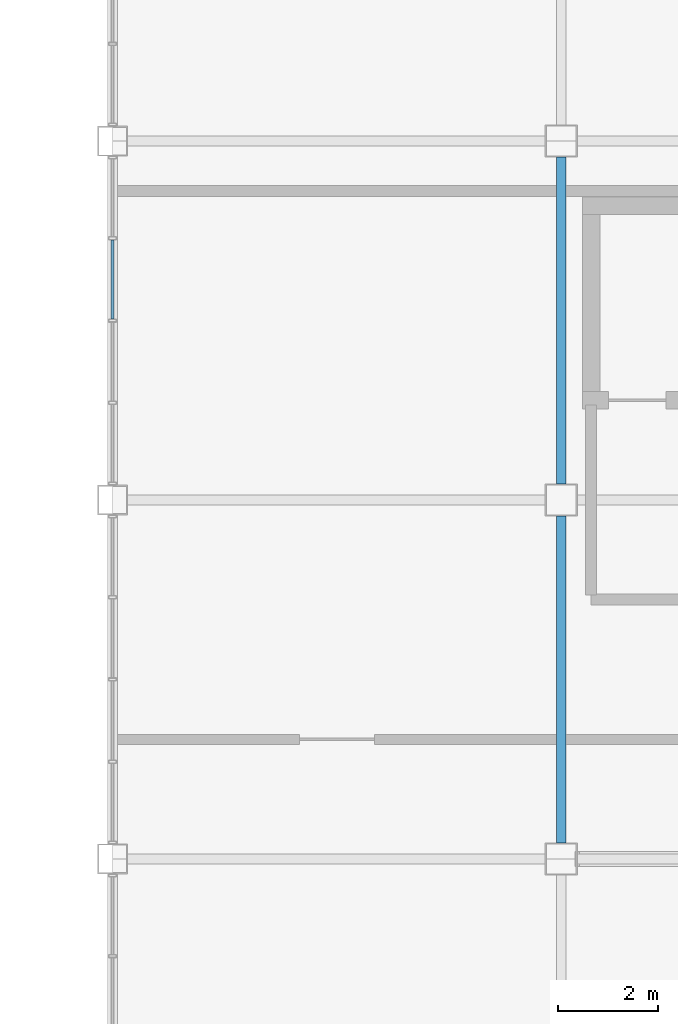
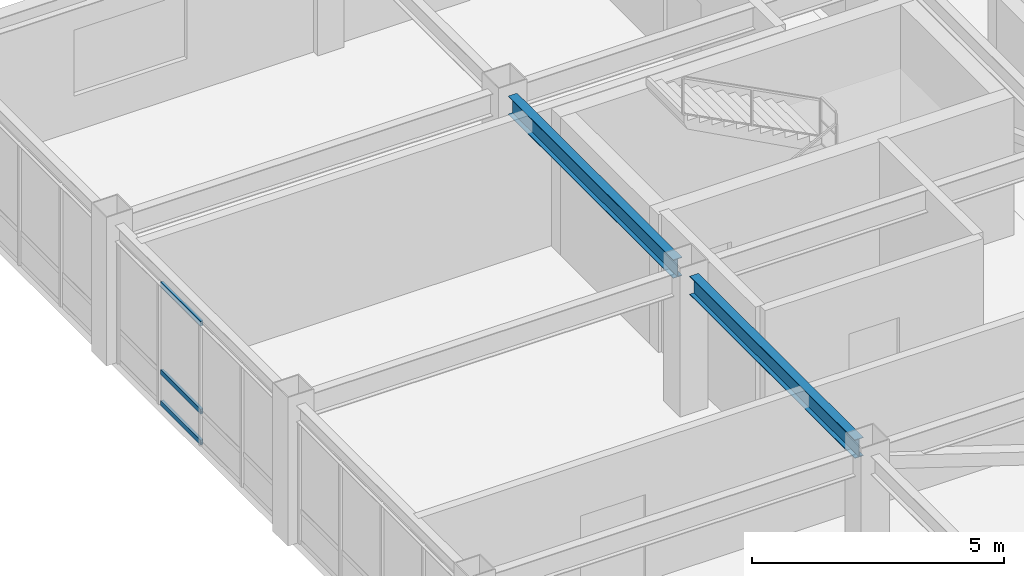
# One storey, part 19 of 34: 3 members, 2 beams, 1 element without a shape of its own.
"""IFC4 building model written with IfcOpenShell, lengths in metres."""

from ifc_helpers import new_model, si_unit, direction, frame, origin, origin_2d, place, context, subcontext, project, spatial, hollow_rectangle, i_section, extrude, material, material_profile, profile_set, type_object, element, aggregate, save


model = new_model("IFC4")

# Units and contexts
model_context = context("Model", 3, precision=1e-05, world=origin(), true_north=direction((0.0, 1.0)))
body_context = subcontext(model_context, "Body", "Model", "MODEL_VIEW")
ifc_project = project(units=[si_unit("LENGTHUNIT", "METRE"), si_unit("AREAUNIT", "SQUARE_METRE"), si_unit("VOLUMEUNIT", "CUBIC_METRE"), si_unit("PLANEANGLEUNIT", "RADIAN"), si_unit("MASSUNIT", "GRAM", prefix="KILO")], contexts=[model_context])

# Site, building, storey
site_placement = place(None, origin())
site = spatial("IfcSite", under=ifc_project, at=site_placement, CompositionType="ELEMENT")
building_placement = place(site_placement, origin())
building = spatial("IfcBuilding", under=site, at=building_placement, Name="Kazanami Central Library", CompositionType="ELEMENT")
storey_placement = place(building_placement, frame((0.0, 0.0, 17.0)))
storey = spatial("IfcBuildingStorey", under=building, at=storey_placement, Name="L05", CompositionType="ELEMENT", Elevation=17.0)

# Beams
ifc_material_1 = material(Name="Steel SN490B (325 MPa)", Category="steel")
ifc_material_profile_1 = material_profile(ifc_material_1, i_section(OverallWidth=0.199951171875, OverallDepth=0.449951171875, WebThickness=0.009033203125, FlangeThickness=0.013916015625, at=origin_2d()), Name="H-450x200x9x14")
ifc_profile_set_1 = profile_set([ifc_material_profile_1], Name="Steel SN490B (325 MPa)")
beam_type = type_object("IfcBeamType", Name="BM-G-Y3", PredefinedType="BEAM", material=ifc_profile_set_1)
for number, where, z_axis, x_axis, name in (
    (1, (126.0, 72.322998046875, 3.114990234375), (0.0, 1.0, 0.0), (-1.0, 0.0, 0.0), "Girder G-Y3 L05 15/L-M"),
    (2, (126.0, 79.52294921875, 3.114990234375), (0.0, 1.0, 0.0), (-1.0, 0.0, 0.0), "Girder G-Y3 L05 15/M-N"),
):
    element("IfcBeam", number, at=place(storey_placement, frame(where, z_axis=z_axis, x_axis=x_axis)), inside=storey, type_object=beam_type, Name=name, PredefinedType="BEAM", context=body_context, shape_type="SweptSolid", body=[
        extrude(i_section(OverallWidth=0.199951171875, OverallDepth=0.449951171875, WebThickness=0.009033203125, FlangeThickness=0.013916015625, at=origin_2d()), origin(), (0.0, 0.0, 1.0), 6.553955078125),
    ])

# Curtain wall, members
ifc_material_2 = material(Name="Acid-Etched Low-E Laminated Glass", Category="glass")
curtain_wall_type = type_object("IfcCurtainWallType", Name="CW-6600x2940-M180", PredefinedType="USERDEFINED", material=ifc_material_2)
curtain_wall_placement = place(storey_placement, origin())
curtain_wall = element("IfcCurtainWall", 3, at=curtain_wall_placement, inside=storey, type_object=curtain_wall_type, Name="Covered Link Bridge Curtain Wall CW-54 L05 W-14-11", ObjectType="UNITISED CURTAIN WALL", PredefinedType="USERDEFINED")
ifc_material_3 = material(Name="Anodised Aluminium A6063-T5", Category="aluminium")
ifc_material_profile_2 = material_profile(ifc_material_3, hollow_rectangle(XDim=0.06005859375, YDim=0.1201171875, WallThickness=0.00341796875, at=origin_2d()), Name="ALU-TRAN-60x120x3.5")
ifc_profile_set_2 = profile_set([ifc_material_profile_2], Name="Anodised Aluminium A6063-T5")
member_type = type_object("IfcMemberType", Name="MEM-CW-T3", PredefinedType="USERDEFINED", material=ifc_profile_set_2)
member_1_placement = place(storey_placement, frame((117.0, 82.830078125, 0.030029296875), z_axis=(0.0, 1.0, 0.0), x_axis=(-1.0, 0.0, 0.0)))
member_1 = element("IfcMember", 4, at=member_1_placement, type_object=member_type, Name="CW-54 transom 3.1", ObjectType="TRANSOM", PredefinedType="USERDEFINED", context=body_context, shape_type="SweptSolid", body=[
    extrude(hollow_rectangle(XDim=0.06005859375, YDim=0.1201171875, WallThickness=0.00341796875, at=origin_2d()), origin(), (0.0, 0.0, 1.0), 1.58984375),
])
member_2_placement = place(storey_placement, frame((117.0, 82.830078125, 0.780029296875), z_axis=(0.0, 1.0, 0.0), x_axis=(-1.0, 0.0, 0.0)))
member_2 = element("IfcMember", 5, at=member_2_placement, type_object=member_type, Name="CW-54 transom 3.2", ObjectType="TRANSOM", PredefinedType="USERDEFINED", context=body_context, shape_type="SweptSolid", body=[
    extrude(hollow_rectangle(XDim=0.06005859375, YDim=0.1201171875, WallThickness=0.00341796875, at=origin_2d()), origin(), (0.0, 0.0, 1.0), 1.58984375),
])
member_3_placement = place(storey_placement, frame((117.0, 82.830078125, 2.909912109375), z_axis=(0.0, 1.0, 0.0), x_axis=(-1.0, 0.0, 0.0)))
member_3 = element("IfcMember", 6, at=member_3_placement, type_object=member_type, Name="CW-54 transom 3.3", ObjectType="TRANSOM", PredefinedType="USERDEFINED", context=body_context, shape_type="SweptSolid", body=[
    extrude(hollow_rectangle(XDim=0.06005859375, YDim=0.1201171875, WallThickness=0.00341796875, at=origin_2d()), origin(), (0.0, 0.0, 1.0), 1.58984375),
])
aggregate(curtain_wall, [member_1, member_2, member_3])

save(model, "model.ifc")
